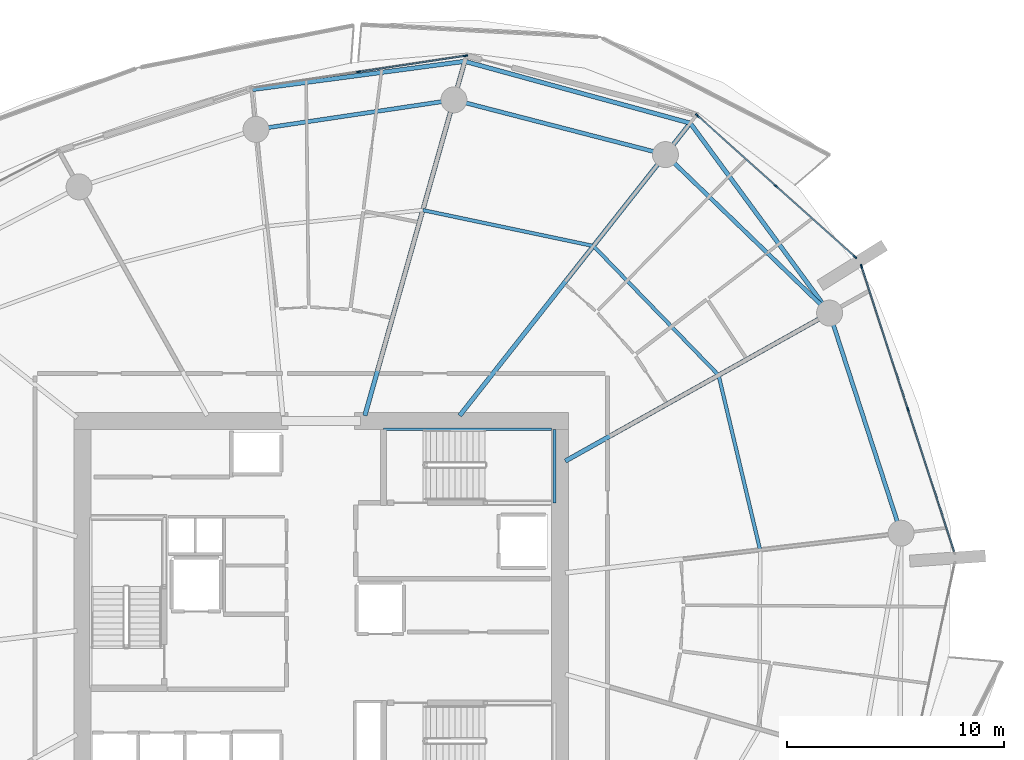
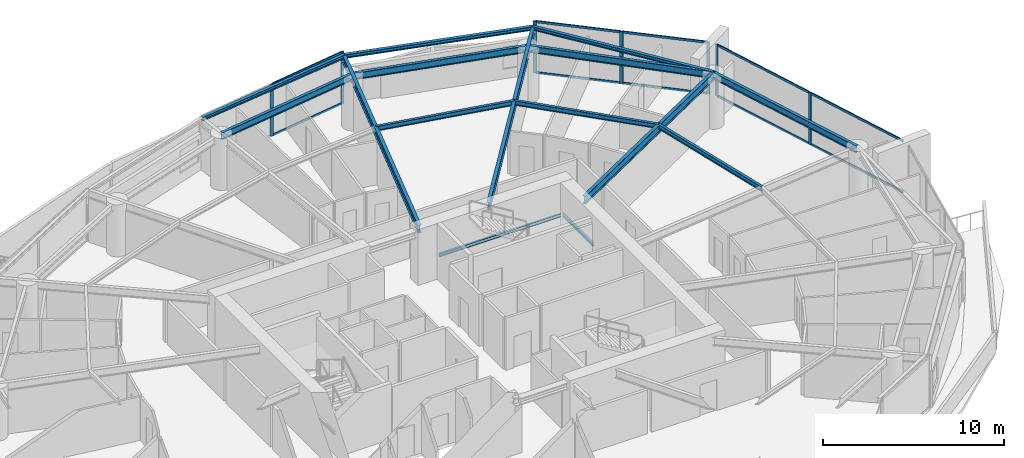
# One storey, part 9 of 23: 17 members, 15 beams, 3 elements without a shape of their own.
"""IFC4 building model written with IfcOpenShell, lengths in metres."""

from ifc_helpers import new_model, si_unit, direction, frame, origin, origin_2d, place, context, subcontext, project, spatial, rectangle, i_section, extrude, material, layer, layer_set, material_profile, profile_set, type_object, element, aggregate, save


model = new_model("IFC4")

# Units and contexts
model_context = context("Model", 3, precision=1e-05, world=origin(), true_north=direction((0.0, 1.0)))
body_context = subcontext(model_context, "Body", "Model", "MODEL_VIEW")
ifc_project = project(units=[si_unit("LENGTHUNIT", "METRE"), si_unit("AREAUNIT", "SQUARE_METRE"), si_unit("VOLUMEUNIT", "CUBIC_METRE"), si_unit("PLANEANGLEUNIT", "RADIAN"), si_unit("MASSUNIT", "GRAM", prefix="KILO")], contexts=[model_context])

# Site, building, storey
site_placement = place(None, origin())
site = spatial("IfcSite", under=ifc_project, at=site_placement, CompositionType="ELEMENT")
building_placement = place(site_placement, origin())
building = spatial("IfcBuilding", under=site, at=building_placement, Name="Kazma Halo Residences", CompositionType="ELEMENT")
storey_placement = place(building_placement, frame((0.0, 0.0, 82.64990234375)))
storey = spatial("IfcBuildingStorey", under=building, at=storey_placement, Name="L20", CompositionType="ELEMENT", Elevation=82.64990234375)

# Beams
ifc_material_1 = material(Name="Steel S355", Category="steel")
ifc_material_profile_1 = material_profile(ifc_material_1, i_section(OverallWidth=0.201904296875, OverallDepth=0.2470703125, WebThickness=0.00732421875, FlangeThickness=0.010986328125, FilletRadius=0.011962890625, at=origin_2d()), Name="W250x49.1")
ifc_profile_set_1 = profile_set([ifc_material_profile_1], Name="Steel S355")
beam_type_1 = type_object("IfcBeamType", Name="BM-BAL-CANT", PredefinedType="BEAM", material=ifc_profile_set_1)
beam_1_placement = place(storey_placement, frame((71.9033203125, 55.386474609375, 3.376708984375), z_axis=(-0.59144927253, 0.806342209005, 0.0), x_axis=(-0.806342209005, -0.59144927253, 0.0)))
element("IfcBeam", 1, at=beam_1_placement, inside=storey, type_object=beam_type_1, Name="L20 wave-balcony lead tie beam 01", PredefinedType="BEAM", context=body_context, shape_type="SweptSolid", body=[
    extrude(i_section(OverallWidth=0.201904296875, OverallDepth=0.2470703125, WebThickness=0.00732421875, FlangeThickness=0.010986328125, FilletRadius=0.011962890625, at=origin_2d()), origin(), (0.0, 0.0, 1.0), 10.87939453125),
])
beam_2_placement = place(storey_placement, frame((65.46875, 64.158935546875, 3.376708984375), z_axis=(-0.964396617, 0.264460139, 0.0), x_axis=(-0.264460139, -0.964396617, 0.0)))
element("IfcBeam", 2, at=beam_2_placement, inside=storey, type_object=beam_type_1, Name="L20 wave-balcony tie beam 02", PredefinedType="BEAM", context=body_context, shape_type="SweptSolid", body=[
    extrude(i_section(OverallWidth=0.201904296875, OverallDepth=0.2470703125, WebThickness=0.00732421875, FlangeThickness=0.010986328125, FilletRadius=0.011962890625, at=origin_2d()), origin(), (0.0, 0.0, 1.0), 10.79833984375),
])
beam_3_placement = place(storey_placement, frame((55.054931640625, 67.0146484375, 3.376708984375), z_axis=(-0.991294955884, -0.131659828494, 0.0), x_axis=(0.131659828494, -0.991294955884, 0.0)))
element("IfcBeam", 3, at=beam_3_placement, inside=storey, type_object=beam_type_1, Name="L20 wave-balcony tie beam 03", PredefinedType="BEAM", context=body_context, shape_type="SweptSolid", body=[
    extrude(i_section(OverallWidth=0.201904296875, OverallDepth=0.2470703125, WebThickness=0.00732421875, FlangeThickness=0.010986328125, FilletRadius=0.011962890625, at=origin_2d()), origin(), (0.0, 0.0, 1.0), 9.902099609375),
])
ifc_material_profile_2 = material_profile(ifc_material_1, i_section(OverallWidth=0.208984375, OverallDepth=0.532958984375, WebThickness=0.01025390625, FlangeThickness=0.015625, FilletRadius=0.01611328125, at=origin_2d()), Name="W530x92")
ifc_profile_set_2 = profile_set([ifc_material_profile_2], Name="Steel S355")
beam_type_2 = type_object("IfcBeamType", Name="BM-RAD-W530", PredefinedType="BEAM", material=ifc_profile_set_2)
beam_4_placement = place(storey_placement, frame((59.699951171875, 48.55224609375, 3.233642578125), z_axis=(0.87249559794, 0.488621972055, 0.0), x_axis=(-0.488621972055, 0.87249559794, 0.0)))
element("IfcBeam", 4, at=beam_4_placement, inside=storey, type_object=beam_type_2, Name="L20 radial floor beam 01", PredefinedType="BEAM", context=body_context, shape_type="SweptSolid", body=[
    extrude(i_section(OverallWidth=0.208984375, OverallDepth=0.532958984375, WebThickness=0.01025390625, FlangeThickness=0.015625, FilletRadius=0.01611328125, at=origin_2d()), origin(), (0.0, 0.0, 1.0), 13.98681640625),
])
beam_5_placement = place(storey_placement, frame((54.819091796875, 50.64990234375, 3.233642578125), z_axis=(0.619093774822, 0.785317068436, 0.0), x_axis=(-0.785317068436, 0.619093774822, 0.0)))
element("IfcBeam", 5, at=beam_5_placement, inside=storey, type_object=beam_type_2, Name="L20 radial floor beam 02", PredefinedType="BEAM", context=body_context, shape_type="SweptSolid", body=[
    extrude(i_section(OverallWidth=0.208984375, OverallDepth=0.532958984375, WebThickness=0.01025390625, FlangeThickness=0.015625, FilletRadius=0.01611328125, at=origin_2d()), origin(), (0.0, 0.0, 1.0), 17.201904296875),
])
beam_6_placement = place(storey_placement, frame((50.439697265625, 50.64990234375, 3.233642578125), z_axis=(0.271434928076, 0.962456793742, 0.0), x_axis=(-0.962456793742, 0.271434928076, 0.0)))
element("IfcBeam", 6, at=beam_6_placement, inside=storey, type_object=beam_type_2, Name="L20 radial floor beam 03", PredefinedType="BEAM", context=body_context, shape_type="SweptSolid", body=[
    extrude(i_section(OverallWidth=0.208984375, OverallDepth=0.532958984375, WebThickness=0.01025390625, FlangeThickness=0.015625, FilletRadius=0.01611328125, at=origin_2d()), origin(), (0.0, 0.0, 1.0), 17.003173828125),
])
ifc_material_profile_3 = material_profile(ifc_material_1, i_section(OverallWidth=0.1650390625, OverallDepth=0.31005859375, WebThickness=0.005859375, FlangeThickness=0.009765625, FilletRadius=0.011962890625, at=origin_2d()), Name="W310x38.7")
ifc_profile_set_3 = profile_set([ifc_material_profile_3], Name="Steel S355")
beam_type_3 = type_object("IfcBeamType", Name="BM-SEC-W310B", PredefinedType="JOIST", material=ifc_profile_set_3)
beam_7_placement = place(storey_placement, frame((66.77783203125, 52.51611328125, 3.34521484375), z_axis=(-0.695765378161, 0.718269126827, 0.0), x_axis=(-0.718269126827, -0.695765378161, 0.0)))
element("IfcBeam", 7, at=beam_7_placement, inside=storey, type_object=beam_type_3, Name="L20 circumferential floor joist 01", PredefinedType="JOIST", context=body_context, shape_type="SweptSolid", body=[
    extrude(i_section(OverallWidth=0.1650390625, OverallDepth=0.31005859375, WebThickness=0.005859375, FlangeThickness=0.009765625, FilletRadius=0.011962890625, at=origin_2d()), origin(), (0.0, 0.0, 1.0), 8.310302734375),
])
beam_8_placement = place(storey_placement, frame((60.995849609375, 58.485107421875, 3.34521484375), z_axis=(-0.978607976751, 0.205733876255, 0.0), x_axis=(-0.205733876255, -0.978607976751, 0.0)))
element("IfcBeam", 8, at=beam_8_placement, inside=storey, type_object=beam_type_3, Name="L20 circumferential floor joist 02", PredefinedType="JOIST", context=body_context, shape_type="SweptSolid", body=[
    extrude(i_section(OverallWidth=0.1650390625, OverallDepth=0.31005859375, WebThickness=0.005859375, FlangeThickness=0.009765625, FilletRadius=0.011962890625, at=origin_2d()), origin(), (0.0, 0.0, 1.0), 8.051513671875),
])
beam_9_placement = place(storey_placement, frame((68.69384765625, 44.44921875, 3.34521484375), z_axis=(-0.231087064161, 0.972933075179, 0.0), x_axis=(-0.972933075179, -0.231087064161, 0.0)))
element("IfcBeam", 9, at=beam_9_placement, inside=storey, type_object=beam_type_3, Name="L20 circumferential floor joist 16", PredefinedType="JOIST", context=body_context, shape_type="SweptSolid", body=[
    extrude(i_section(OverallWidth=0.1650390625, OverallDepth=0.31005859375, WebThickness=0.005859375, FlangeThickness=0.009765625, FilletRadius=0.011962890625, at=origin_2d()), origin(), (0.0, 0.0, 1.0), 8.291259765625),
])
ifc_material_profile_4 = material_profile(ifc_material_1, i_section(OverallWidth=0.18994140625, OverallDepth=0.45703125, WebThickness=0.009033203125, FlangeThickness=0.014404296875, FilletRadius=0.01611328125, at=origin_2d()), Name="W460x74")
ifc_profile_set_4 = profile_set([ifc_material_profile_4], Name="Steel S355")
beam_type_4 = type_object("IfcBeamType", Name="BM-SPN-W460", PredefinedType="BEAM", material=ifc_profile_set_4)
beam_10_placement = place(storey_placement, frame((71.9033203125, 55.386474609375, 3.271484375), z_axis=(-0.719336783114, 0.694661494873, 0.0), x_axis=(-0.694661494873, -0.719336783114, 0.0)))
element("IfcBeam", 10, at=beam_10_placement, inside=storey, type_object=beam_type_4, Name="L20 perimeter ring beam 01", PredefinedType="BEAM", context=body_context, shape_type="SweptSolid", body=[
    extrude(i_section(OverallWidth=0.18994140625, OverallDepth=0.45703125, WebThickness=0.009033203125, FlangeThickness=0.014404296875, FilletRadius=0.01611328125, at=origin_2d()), origin(), (0.0, 0.0, 1.0), 10.537353515625),
])
beam_11_placement = place(storey_placement, frame((64.323486328125, 62.706298828125, 3.271484375), z_axis=(-0.968124968683, 0.250467652626, 0.0), x_axis=(-0.250467652626, -0.968124968683, 0.0)))
element("IfcBeam", 11, at=beam_11_placement, inside=storey, type_object=beam_type_4, Name="L20 perimeter ring beam 02", PredefinedType="BEAM", context=body_context, shape_type="SweptSolid", body=[
    extrude(i_section(OverallWidth=0.18994140625, OverallDepth=0.45703125, WebThickness=0.009033203125, FlangeThickness=0.014404296875, FilletRadius=0.01611328125, at=origin_2d()), origin(), (0.0, 0.0, 1.0), 10.092529296875),
])
beam_12_placement = place(storey_placement, frame((54.552734375, 65.234130859375, 3.271484375), z_axis=(-0.989034176303, -0.147686824414, 0.0), x_axis=(0.147686824414, -0.989034176303, 0.0)))
element("IfcBeam", 12, at=beam_12_placement, inside=storey, type_object=beam_type_4, Name="L20 perimeter ring beam 03", PredefinedType="BEAM", context=body_context, shape_type="SweptSolid", body=[
    extrude(i_section(OverallWidth=0.18994140625, OverallDepth=0.45703125, WebThickness=0.009033203125, FlangeThickness=0.014404296875, FilletRadius=0.01611328125, at=origin_2d()), origin(), (0.0, 0.0, 1.0), 9.242431640625),
])
beam_13_placement = place(storey_placement, frame((75.20654296875, 45.22021484375, 3.271484375), z_axis=(-0.309017385422, 0.951056389236, 0.0), x_axis=(-0.951056389236, -0.309017385422, 0.0)))
element("IfcBeam", 13, at=beam_13_placement, inside=storey, type_object=beam_type_4, Name="L20 perimeter ring beam 16", PredefinedType="BEAM", context=body_context, shape_type="SweptSolid", body=[
    extrude(i_section(OverallWidth=0.18994140625, OverallDepth=0.45703125, WebThickness=0.009033203125, FlangeThickness=0.014404296875, FilletRadius=0.01611328125, at=origin_2d()), origin(), (0.0, 0.0, 1.0), 10.689453125),
])
ifc_material_profile_5 = material_profile(ifc_material_1, i_section(OverallWidth=0.133056640625, OverallDepth=0.20703125, WebThickness=0.005859375, FlangeThickness=0.00830078125, FilletRadius=0.010009765625, at=origin_2d()), Name="W200x26.6")
ifc_profile_set_5 = profile_set([ifc_material_profile_5], Name="Steel S355")
beam_type_5 = type_object("IfcBeamType", Name="BM-TRIM-W200", PredefinedType="BEAM", material=ifc_profile_set_5)
beam_14_placement = place(storey_placement, frame((51.31005859375, 50.02001953125, 1.570068359375), z_axis=(1.0, 0.0, 0.0), x_axis=(0.0, 1.0, 0.0)))
element("IfcBeam", 14, at=beam_14_placement, inside=storey, type_object=beam_type_5, Name="L20 ST-02 landing north wall ledger", PredefinedType="BEAM", context=body_context, shape_type="SweptSolid", body=[
    extrude(i_section(OverallWidth=0.133056640625, OverallDepth=0.20703125, WebThickness=0.005859375, FlangeThickness=0.00830078125, FilletRadius=0.010009765625, at=origin_2d()), origin(), (0.0, 0.0, 1.0), 7.760009765625),
])
beam_15_placement = place(storey_placement, frame((59.18994140625, 46.6201171875, 1.570068359375), z_axis=(0.0, 1.0, 0.0), x_axis=(-1.0, 0.0, 0.0)))
element("IfcBeam", 15, at=beam_15_placement, inside=storey, type_object=beam_type_5, Name="L20 ST-02 landing end wall ledger", PredefinedType="BEAM", context=body_context, shape_type="SweptSolid", body=[
    extrude(i_section(OverallWidth=0.133056640625, OverallDepth=0.20703125, WebThickness=0.005859375, FlangeThickness=0.00830078125, FilletRadius=0.010009765625, at=origin_2d()), origin(), (0.0, 0.0, 1.0), 3.39990234375),
])

# Curtain wall, members
ifc_material_2 = material(Name="Aluminium AW-6063 T6 and Triple-Silver Low-E Glass", Category="aluminium")
ifc_layer = layer(ifc_material_2, 0.199951171875)
ifc_layer_set = layer_set([ifc_layer], Name="Aluminium AW-6063 T6 and Triple-Silver Low-E Glass")
curtain_wall_type = type_object("IfcCurtainWallType", Name="CW-SYS-3", PredefinedType="NOTDEFINED", material=ifc_layer_set)
curtain_wall_1_placement = place(storey_placement, origin())
curtain_wall_1 = element("IfcCurtainWall", 16, at=curtain_wall_1_placement, inside=storey, type_object=curtain_wall_type, Name="L20 unitised curtain wall B01", PredefinedType="NOTDEFINED")
ifc_material_3 = material(Name="Aluminium AW-6063 T6", Category="aluminium")
ifc_material_profile_6 = material_profile(ifc_material_3, rectangle(XDim=0.070068359375, YDim=0.199951171875, at=origin_2d()), Name="CWM-70x200")
ifc_profile_set_6 = profile_set([ifc_material_profile_6], Name="Aluminium AW-6063 T6")
member_type_1 = type_object("IfcMemberType", Name="CW-SYS-3-MUL", PredefinedType="MULLION", material=ifc_profile_set_6)
member_1_placement = place(storey_placement, frame((73.071044921875, 57.981201171875, 0.0), z_axis=(0.0, 0.0, 1.0), x_axis=(-0.667794957375, -0.744345279359, 0.0)))
member_1 = element("IfcMember", 17, at=member_1_placement, type_object=member_type_1, Name="CWS-3 mullion 1", PredefinedType="MULLION", context=body_context, shape_type="SweptSolid", body=[
    extrude(rectangle(XDim=0.070068359375, YDim=0.199951171875, at=origin_2d()), origin(), (0.0, 0.0, 1.0), 3.5),
])
member_2_placement = place(storey_placement, frame((69.431396484375, 61.24658203125, 0.0), z_axis=(0.0, 0.0, 1.0), x_axis=(-0.667794957375, -0.744345279359, 0.0)))
member_2 = element("IfcMember", 18, at=member_2_placement, type_object=member_type_1, Name="CWS-3 mullion 2", PredefinedType="MULLION", context=body_context, shape_type="SweptSolid", body=[
    extrude(rectangle(XDim=0.070068359375, YDim=0.199951171875, at=origin_2d()), origin(), (0.0, 0.0, 1.0), 3.5),
])
member_3_placement = place(storey_placement, frame((65.791748046875, 64.51220703125, 0.0), z_axis=(0.0, 0.0, 1.0), x_axis=(-0.667794957375, -0.744345279359, 0.0)))
member_3 = element("IfcMember", 19, at=member_3_placement, type_object=member_type_1, Name="CWS-3 mullion 3", PredefinedType="MULLION", context=body_context, shape_type="SweptSolid", body=[
    extrude(rectangle(XDim=0.070068359375, YDim=0.199951171875, at=origin_2d()), origin(), (0.0, 0.0, 1.0), 3.5),
])

curtain_wall_2_placement = place(storey_placement, origin())
curtain_wall_2 = element("IfcCurtainWall", 20, at=curtain_wall_2_placement, inside=storey, type_object=curtain_wall_type, Name="L20 unitised curtain wall B03", PredefinedType="NOTDEFINED")
member_4_placement = place(storey_placement, frame((55.09423828125, 67.271728515625, 0.0), z_axis=(0.0, 0.0, 1.0), x_axis=(0.148717330409, -0.988879747814, 0.0)))
member_4 = element("IfcMember", 21, at=member_4_placement, type_object=member_type_1, Name="CWS-3 mullion 1", PredefinedType="MULLION", context=body_context, shape_type="SweptSolid", body=[
    extrude(rectangle(XDim=0.070068359375, YDim=0.199951171875, at=origin_2d()), origin(), (0.0, 0.0, 1.0), 3.5),
])
member_5_placement = place(storey_placement, frame((50.156982421875, 66.529296875, 0.0), z_axis=(0.0, 0.0, 1.0), x_axis=(0.148717330409, -0.988879747814, 0.0)))
member_5 = element("IfcMember", 22, at=member_5_placement, type_object=member_type_1, Name="CWS-3 mullion 2", PredefinedType="MULLION", context=body_context, shape_type="SweptSolid", body=[
    extrude(rectangle(XDim=0.070068359375, YDim=0.199951171875, at=origin_2d()), origin(), (0.0, 0.0, 1.0), 3.5),
])

curtain_wall_3_placement = place(storey_placement, origin())
curtain_wall_3 = element("IfcCurtainWall", 23, at=curtain_wall_3_placement, inside=storey, type_object=curtain_wall_type, Name="L20 unitised curtain wall B16", PredefinedType="NOTDEFINED")
member_6_placement = place(storey_placement, frame((75.52099609375, 50.942138671875, 0.0), z_axis=(0.0, 0.0, 1.0), x_axis=(-0.951057722508, -0.309013282008, 0.0)))
member_6 = element("IfcMember", 24, at=member_6_placement, type_object=member_type_1, Name="CWS-3 mullion 2", PredefinedType="MULLION", context=body_context, shape_type="SweptSolid", body=[
    extrude(rectangle(XDim=0.070068359375, YDim=0.199951171875, at=origin_2d()), origin(), (0.0, 0.0, 1.0), 3.5),
])
member_7_placement = place(storey_placement, frame((73.376708984375, 57.54150390625, 0.0), z_axis=(0.0, 0.0, 1.0), x_axis=(-0.951057722508, -0.309013282008, 0.0)))
member_7 = element("IfcMember", 25, at=member_7_placement, type_object=member_type_1, Name="CWS-3 mullion 3", PredefinedType="MULLION", context=body_context, shape_type="SweptSolid", body=[
    extrude(rectangle(XDim=0.070068359375, YDim=0.199951171875, at=origin_2d()), origin(), (0.0, 0.0, 1.0), 3.5),
])

# Member
ifc_material_profile_7 = material_profile(ifc_material_3, rectangle(XDim=0.070068359375, YDim=0.14990234375, at=origin_2d()), Name="CWT-70x150")
ifc_profile_set_7 = profile_set([ifc_material_profile_7], Name="Aluminium AW-6063 T6")
member_type_2 = type_object("IfcMemberType", Name="CW-SYS-3-TRN", PredefinedType="USERDEFINED", material=ifc_profile_set_7)
member_8_placement = place(storey_placement, frame((73.045166015625, 58.004638671875, 0.03515625), z_axis=(-0.744338471453, 0.667802545603, 0.0), x_axis=(-0.667802545603, -0.744338471453, 0.0)))
member_8 = element("IfcMember", 26, at=member_8_placement, type_object=member_type_2, Name="CWS-3 transom 1.1", ObjectType="TRANSOM", PredefinedType="USERDEFINED", context=body_context, shape_type="SweptSolid", body=[
    extrude(rectangle(XDim=0.070068359375, YDim=0.14990234375, at=origin_2d()), origin(), (0.0, 0.0, 1.0), 4.81982421875),
])

member_9_placement = place(storey_placement, frame((73.045166015625, 58.004638671875, 3.465087890625), z_axis=(-0.744338471453, 0.667802545603, 0.0), x_axis=(-0.667802545603, -0.744338471453, 0.0)))
member_9 = element("IfcMember", 27, at=member_9_placement, type_object=member_type_2, Name="CWS-3 transom 1.2", ObjectType="TRANSOM", PredefinedType="USERDEFINED", context=body_context, shape_type="SweptSolid", body=[
    extrude(rectangle(XDim=0.070068359375, YDim=0.14990234375, at=origin_2d()), origin(), (0.0, 0.0, 1.0), 4.81982421875),
])

member_10_placement = place(storey_placement, frame((69.4052734375, 61.27001953125, 0.03515625), z_axis=(-0.744338471453, 0.667802545603, 0.0), x_axis=(-0.667802545603, -0.744338471453, 0.0)))
member_10 = element("IfcMember", 28, at=member_10_placement, type_object=member_type_2, Name="CWS-3 transom 2.1", ObjectType="TRANSOM", PredefinedType="USERDEFINED", context=body_context, shape_type="SweptSolid", body=[
    extrude(rectangle(XDim=0.070068359375, YDim=0.14990234375, at=origin_2d()), origin(), (0.0, 0.0, 1.0), 4.81982421875),
])

member_11_placement = place(storey_placement, frame((69.4052734375, 61.27001953125, 3.465087890625), z_axis=(-0.744338471453, 0.667802545603, 0.0), x_axis=(-0.667802545603, -0.744338471453, 0.0)))
member_11 = element("IfcMember", 29, at=member_11_placement, type_object=member_type_2, Name="CWS-3 transom 2.2", ObjectType="TRANSOM", PredefinedType="USERDEFINED", context=body_context, shape_type="SweptSolid", body=[
    extrude(rectangle(XDim=0.070068359375, YDim=0.14990234375, at=origin_2d()), origin(), (0.0, 0.0, 1.0), 4.81982421875),
])

aggregate(curtain_wall_1, [member_1, member_2, member_3, member_8, member_9, member_10, member_11])

member_12_placement = place(storey_placement, frame((55.0595703125, 67.2666015625, 0.03515625), z_axis=(-0.988876977991, -0.148735746878, 0.0), x_axis=(0.148735746878, -0.988876977991, 0.0)))
member_12 = element("IfcMember", 30, at=member_12_placement, type_object=member_type_2, Name="CWS-3 transom 1.1", ObjectType="TRANSOM", PredefinedType="USERDEFINED", context=body_context, shape_type="SweptSolid", body=[
    extrude(rectangle(XDim=0.070068359375, YDim=0.14990234375, at=origin_2d()), origin(), (0.0, 0.0, 1.0), 4.922607421875),
])

member_13_placement = place(storey_placement, frame((55.0595703125, 67.2666015625, 3.465087890625), z_axis=(-0.988876977991, -0.148735746878, 0.0), x_axis=(0.148735746878, -0.988876977991, 0.0)))
member_13 = element("IfcMember", 31, at=member_13_placement, type_object=member_type_2, Name="CWS-3 transom 1.2", ObjectType="TRANSOM", PredefinedType="USERDEFINED", context=body_context, shape_type="SweptSolid", body=[
    extrude(rectangle(XDim=0.070068359375, YDim=0.14990234375, at=origin_2d()), origin(), (0.0, 0.0, 1.0), 4.922607421875),
])

aggregate(curtain_wall_2, [member_4, member_5, member_12, member_13])

member_14_placement = place(storey_placement, frame((77.654541015625, 44.3759765625, 0.03515625), z_axis=(-0.309000079699, 0.95106201204, 0.0), x_axis=(-0.95106201204, -0.309000079699, 0.0)))
member_14 = element("IfcMember", 32, at=member_14_placement, type_object=member_type_2, Name="CWS-3 transom 1.1", ObjectType="TRANSOM", PredefinedType="USERDEFINED", context=body_context, shape_type="SweptSolid", body=[
    extrude(rectangle(XDim=0.070068359375, YDim=0.14990234375, at=origin_2d()), origin(), (0.0, 0.0, 1.0), 6.869140625),
])

member_15_placement = place(storey_placement, frame((77.654541015625, 44.3759765625, 3.465087890625), z_axis=(-0.309000079699, 0.95106201204, 0.0), x_axis=(-0.95106201204, -0.309000079699, 0.0)))
member_15 = element("IfcMember", 33, at=member_15_placement, type_object=member_type_2, Name="CWS-3 transom 1.2", ObjectType="TRANSOM", PredefinedType="USERDEFINED", context=body_context, shape_type="SweptSolid", body=[
    extrude(rectangle(XDim=0.070068359375, YDim=0.14990234375, at=origin_2d()), origin(), (0.0, 0.0, 1.0), 6.869140625),
])

member_16_placement = place(storey_placement, frame((75.51025390625, 50.975341796875, 0.03515625), z_axis=(-0.309000079699, 0.95106201204, 0.0), x_axis=(-0.95106201204, -0.309000079699, 0.0)))
member_16 = element("IfcMember", 34, at=member_16_placement, type_object=member_type_2, Name="CWS-3 transom 2.1", ObjectType="TRANSOM", PredefinedType="USERDEFINED", context=body_context, shape_type="SweptSolid", body=[
    extrude(rectangle(XDim=0.070068359375, YDim=0.14990234375, at=origin_2d()), origin(), (0.0, 0.0, 1.0), 6.869140625),
])

member_17_placement = place(storey_placement, frame((75.51025390625, 50.975341796875, 3.465087890625), z_axis=(-0.309000079699, 0.95106201204, 0.0), x_axis=(-0.95106201204, -0.309000079699, 0.0)))
member_17 = element("IfcMember", 35, at=member_17_placement, type_object=member_type_2, Name="CWS-3 transom 2.2", ObjectType="TRANSOM", PredefinedType="USERDEFINED", context=body_context, shape_type="SweptSolid", body=[
    extrude(rectangle(XDim=0.070068359375, YDim=0.14990234375, at=origin_2d()), origin(), (0.0, 0.0, 1.0), 6.869140625),
])

aggregate(curtain_wall_3, [member_6, member_7, member_14, member_15, member_16, member_17])

save(model, "model.ifc")
